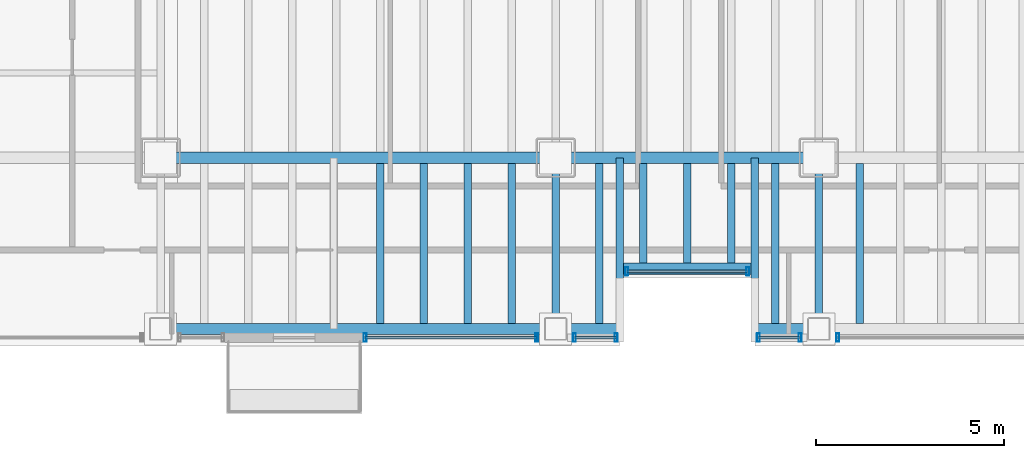
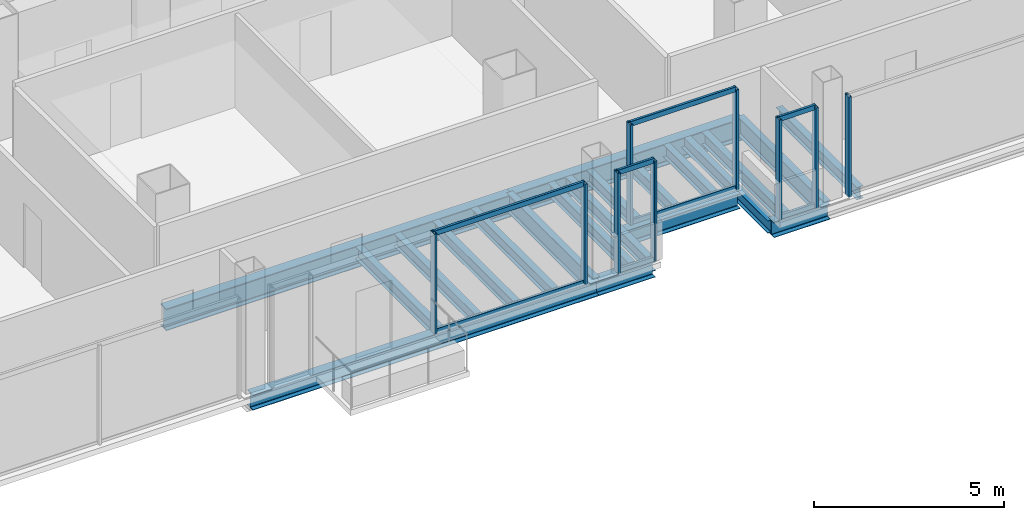
# One storey, part 4 of 21: 20 beams, 17 members, 5 elements without a shape of their own.
"""IFC4 building model written with IfcOpenShell, lengths in metres."""

from ifc_helpers import new_model, si_unit, direction, frame, origin, origin_2d, place, context, subcontext, project, spatial, hollow_rectangle, i_section, extrude, material, material_profile, profile_set, type_object, element, aggregate, save


model = new_model("IFC4")

# Units and contexts
model_context = context("Model", 3, precision=1e-05, world=origin(), true_north=direction((0.0, 1.0)))
body_context = subcontext(model_context, "Body", "Model", "MODEL_VIEW")
ifc_project = project(units=[si_unit("LENGTHUNIT", "METRE"), si_unit("AREAUNIT", "SQUARE_METRE"), si_unit("VOLUMEUNIT", "CUBIC_METRE"), si_unit("PLANEANGLEUNIT", "RADIAN"), si_unit("MASSUNIT", "GRAM", prefix="KILO")], contexts=[model_context])

# Site, building, storey
site_placement = place(None, origin())
site = spatial("IfcSite", under=ifc_project, at=site_placement, CompositionType="ELEMENT")
building_placement = place(site_placement, origin())
building = spatial("IfcBuilding", under=site, at=building_placement, Name="Noeulbin Bourse Tower", CompositionType="ELEMENT")
storey_placement = place(building_placement, frame((0.0, 0.0, 34.300048828125)))
storey = spatial("IfcBuildingStorey", under=building, at=storey_placement, Name="L08", CompositionType="ELEMENT", Elevation=34.300048828125)

# Beams
ifc_material_1 = material(Name="Steel S355", Category="steel")
ifc_material_profile_1 = material_profile(ifc_material_1, i_section(OverallWidth=0.199951171875, OverallDepth=0.60009765625, WebThickness=0.010986328125, FlangeThickness=0.01708984375, FilletRadius=0.02197265625, at=origin_2d()), Name="H-600x200x11x17", Category="LoadBearing")
ifc_profile_set_1 = profile_set([ifc_material_profile_1], Name="Steel S355")
beam_type_1 = type_object("IfcBeamType", Name="BM-GRD-600", PredefinedType="USERDEFINED", material=ifc_profile_set_1)
for number, where, z_axis, x_axis, name in (
    (1, (24.0, 15.449951171875, -0.47998046875), (0.0, 1.0, 0.0), (-1.0, 0.0, 0.0), "Tower Primary Girder NS L08-2.1"),
    (2, (31.0, 15.449951171875, -0.47998046875), (0.0, 1.0, 0.0), (-1.0, 0.0, 0.0), "Tower Primary Girder NS L08-3.1"),
):
    element("IfcBeam", number, at=place(storey_placement, frame(where, z_axis=z_axis, x_axis=x_axis)), inside=storey, type_object=beam_type_1, Name=name, ObjectType="GIRDER", PredefinedType="USERDEFINED", context=body_context, shape_type="SweptSolid", body=[
        extrude(i_section(OverallWidth=0.199951171875, OverallDepth=0.60009765625, WebThickness=0.010986328125, FlangeThickness=0.01708984375, FilletRadius=0.02197265625, at=origin_2d()), origin(), (0.0, 0.0, 1.0), 4.550048828125),
    ])
ifc_material_profile_2 = material_profile(ifc_material_1, i_section(OverallWidth=0.300048828125, OverallDepth=0.699951171875, WebThickness=0.012939453125, FlangeThickness=0.02392578125, FilletRadius=0.02392578125, at=origin_2d()), Name="H-700x300x13x24", Category="LoadBearing")
ifc_profile_set_2 = profile_set([ifc_material_profile_2], Name="Steel S355")
beam_type_2 = type_object("IfcBeamType", Name="BM-GRD-700", PredefinedType="USERDEFINED", material=ifc_profile_set_2)
beam_1_placement = place(storey_placement, frame((13.5, 20.0, -0.530029296875), z_axis=(1.0, 0.0, 0.0), x_axis=(0.0, 1.0, 0.0)))
element("IfcBeam", 3, at=beam_1_placement, inside=storey, type_object=beam_type_2, Name="Tower Primary Girder EW L08-1.2", ObjectType="GIRDER", PredefinedType="USERDEFINED", context=body_context, shape_type="SweptSolid", body=[
    extrude(i_section(OverallWidth=0.300048828125, OverallDepth=0.699951171875, WebThickness=0.012939453125, FlangeThickness=0.02392578125, FilletRadius=0.02392578125, at=origin_2d()), origin(), (0.0, 0.0, 1.0), 10.5),
])
beam_2_placement = place(storey_placement, frame((24.0, 20.0, -0.530029296875), z_axis=(1.0, 0.0, 0.0), x_axis=(0.0, 1.0, 0.0)))
element("IfcBeam", 4, at=beam_2_placement, inside=storey, type_object=beam_type_2, Name="Tower Primary Girder EW L08-1.3", ObjectType="GIRDER", PredefinedType="USERDEFINED", context=body_context, shape_type="SweptSolid", body=[
    extrude(i_section(OverallWidth=0.300048828125, OverallDepth=0.699951171875, WebThickness=0.012939453125, FlangeThickness=0.02392578125, FilletRadius=0.02392578125, at=origin_2d()), origin(), (0.0, 0.0, 1.0), 7.0),
])
ifc_material_profile_3 = material_profile(ifc_material_1, i_section(OverallWidth=0.199951171875, OverallDepth=0.39990234375, WebThickness=0.008056640625, FlangeThickness=0.012939453125, FilletRadius=0.01611328125, at=origin_2d()), Name="H-400x200x8x13", Category="LoadBearing")
ifc_profile_set_3 = profile_set([ifc_material_profile_3], Name="Steel S355")
beam_type_3 = type_object("IfcBeamType", Name="BM-SEC-400", PredefinedType="BEAM", material=ifc_profile_set_3)
for number, where, z_axis, x_axis, name in (
    (5, (25.699951171875, 15.449951171875, -0.380126953125), (0.0, 1.0, 0.0), (-1.0, 0.0, 0.0), "BM-L08-SRT-W"),
    (6, (29.300048828125, 15.449951171875, -0.380126953125), (0.0, 1.0, 0.0), (-1.0, 0.0, 0.0), "BM-L08-SRT-E"),
):
    element("IfcBeam", number, at=place(storey_placement, frame(where, z_axis=z_axis, x_axis=x_axis)), inside=storey, type_object=beam_type_3, Name=name, PredefinedType="BEAM", context=body_context, shape_type="SweptSolid", body=[
        extrude(i_section(OverallWidth=0.199951171875, OverallDepth=0.39990234375, WebThickness=0.008056640625, FlangeThickness=0.012939453125, FilletRadius=0.01611328125, at=origin_2d()), origin(), (0.0, 0.0, 1.0), 4.550048828125),
    ])
for number, where, z_axis, x_axis, name in (
    (7, (19.333251953125, 15.60009765625, -0.380126953125), (0.0, 1.0, 0.0), (-1.0, 0.0, 0.0), "Tower Composite Joist L08-12"),
    (8, (20.5, 15.60009765625, -0.380126953125), (0.0, 1.0, 0.0), (-1.0, 0.0, 0.0), "Tower Composite Joist L08-15"),
    (9, (21.666748046875, 15.60009765625, -0.380126953125), (0.0, 1.0, 0.0), (-1.0, 0.0, 0.0), "Tower Composite Joist L08-18"),
    (10, (22.833251953125, 15.60009765625, -0.380126953125), (0.0, 1.0, 0.0), (-1.0, 0.0, 0.0), "Tower Composite Joist L08-21"),
    (11, (25.166748046875, 15.60009765625, -0.380126953125), (0.0, 1.0, 0.0), (-1.0, 0.0, 0.0), "Tower Composite Joist L08-24"),
):
    element("IfcBeam", number, at=place(storey_placement, frame(where, z_axis=z_axis, x_axis=x_axis)), inside=storey, type_object=beam_type_3, Name=name, PredefinedType="BEAM", context=body_context, shape_type="SweptSolid", body=[
        extrude(i_section(OverallWidth=0.199951171875, OverallDepth=0.39990234375, WebThickness=0.008056640625, FlangeThickness=0.012939453125, FilletRadius=0.01611328125, at=origin_2d()), origin(), (0.0, 0.0, 1.0), 4.25),
    ])
for number, where, z_axis, x_axis, name in (
    (12, (26.333251953125, 17.199951171875, -0.380126953125), (0.0, 1.0, 0.0), (-1.0, 0.0, 0.0), "Tower Composite Joist L08-27"),
    (13, (27.5, 17.199951171875, -0.380126953125), (0.0, 1.0, 0.0), (-1.0, 0.0, 0.0), "Tower Composite Joist L08-30"),
    (14, (28.666748046875, 17.199951171875, -0.380126953125), (0.0, 1.0, 0.0), (-1.0, 0.0, 0.0), "Tower Composite Joist L08-33"),
):
    element("IfcBeam", number, at=place(storey_placement, frame(where, z_axis=z_axis, x_axis=x_axis)), inside=storey, type_object=beam_type_3, Name=name, PredefinedType="BEAM", context=body_context, shape_type="SweptSolid", body=[
        extrude(i_section(OverallWidth=0.199951171875, OverallDepth=0.39990234375, WebThickness=0.008056640625, FlangeThickness=0.012939453125, FilletRadius=0.01611328125, at=origin_2d()), origin(), (0.0, 0.0, 1.0), 2.650146484375),
    ])
for number, where, z_axis, x_axis, name in (
    (15, (29.833251953125, 15.60009765625, -0.380126953125), (0.0, 1.0, 0.0), (-1.0, 0.0, 0.0), "Tower Composite Joist L08-36"),
    (16, (32.083251953125, 15.60009765625, -0.380126953125), (0.0, 1.0, 0.0), (-1.0, 0.0, 0.0), "Tower Composite Joist L08-39"),
):
    element("IfcBeam", number, at=place(storey_placement, frame(where, z_axis=z_axis, x_axis=x_axis)), inside=storey, type_object=beam_type_3, Name=name, PredefinedType="BEAM", context=body_context, shape_type="SweptSolid", body=[
        extrude(i_section(OverallWidth=0.199951171875, OverallDepth=0.39990234375, WebThickness=0.008056640625, FlangeThickness=0.012939453125, FilletRadius=0.01611328125, at=origin_2d()), origin(), (0.0, 0.0, 1.0), 4.25),
    ])
ifc_material_profile_4 = material_profile(ifc_material_1, i_section(OverallWidth=0.300048828125, OverallDepth=0.488037109375, WebThickness=0.010986328125, FlangeThickness=0.01806640625, FilletRadius=0.02197265625, at=origin_2d()), Name="H-488x300x11x18", Category="LoadBearing")
ifc_profile_set_4 = profile_set([ifc_material_profile_4], Name="Steel S355")
beam_type_4 = type_object("IfcBeamType", Name="BM-SPN-488", PredefinedType="SPANDREL", material=ifc_profile_set_4)
beam_3_placement = place(storey_placement, frame((13.5, 15.449951171875, -0.424072265625), z_axis=(1.0, 0.0, 0.0), x_axis=(0.0, 1.0, 0.0)))
element("IfcBeam", 17, at=beam_3_placement, inside=storey, type_object=beam_type_4, Name="South Spandrel L08-1", PredefinedType="SPANDREL", context=body_context, shape_type="SweptSolid", body=[
    extrude(i_section(OverallWidth=0.300048828125, OverallDepth=0.488037109375, WebThickness=0.010986328125, FlangeThickness=0.01806640625, FilletRadius=0.02197265625, at=origin_2d()), origin(), (0.0, 0.0, 1.0), 10.5),
])
beam_4_placement = place(storey_placement, frame((25.800048828125, 17.050048828125, -0.424072265625), z_axis=(1.0, 0.0, 0.0), x_axis=(0.0, 1.0, 0.0)))
element("IfcBeam", 18, at=beam_4_placement, inside=storey, type_object=beam_type_4, Name="South Recess Spandrel L08-2B", PredefinedType="SPANDREL", context=body_context, shape_type="SweptSolid", body=[
    extrude(i_section(OverallWidth=0.300048828125, OverallDepth=0.488037109375, WebThickness=0.010986328125, FlangeThickness=0.01806640625, FilletRadius=0.02197265625, at=origin_2d()), origin(), (0.0, 0.0, 1.0), 3.39990234375),
])
for number, where, z_axis, x_axis, name in (
    (19, (24.0, 15.449951171875, -0.424072265625), (1.0, 0.0, 0.0), (0.0, 1.0, 0.0), "South Spandrel L08-2A"),
    (20, (29.300048828125, 15.449951171875, -0.424072265625), (1.0, 0.0, 0.0), (0.0, 1.0, 0.0), "South Spandrel L08-2C"),
):
    element("IfcBeam", number, at=place(storey_placement, frame(where, z_axis=z_axis, x_axis=x_axis)), inside=storey, type_object=beam_type_4, Name=name, PredefinedType="SPANDREL", context=body_context, shape_type="SweptSolid", body=[
        extrude(i_section(OverallWidth=0.300048828125, OverallDepth=0.488037109375, WebThickness=0.010986328125, FlangeThickness=0.01806640625, FilletRadius=0.02197265625, at=origin_2d()), origin(), (0.0, 0.0, 1.0), 1.699951171875),
    ])

# Curtain wall, members
ifc_material_2 = material(Name="Dark Solar-Control Double Glazing", Category="glass")
curtain_wall_type = type_object("IfcCurtainWallType", Name="CW-SYS-2", PredefinedType="NOTDEFINED", material=ifc_material_2)
curtain_wall_1_placement = place(storey_placement, origin())
curtain_wall_1 = element("IfcCurtainWall", 21, at=curtain_wall_1_placement, inside=storey, type_object=curtain_wall_type, Name="Unitised Curtain Wall CW-L08-SREC", PredefinedType="NOTDEFINED")
ifc_material_3 = material(Name="Anodised Aluminium 6063-T6", Category="aluminium")
ifc_material_profile_5 = material_profile(ifc_material_3, hollow_rectangle(XDim=0.074951171875, YDim=0.219970703125, WallThickness=0.0048828125, InnerFilletRadius=0.00244140625, OuterFilletRadius=0.0048828125, at=origin_2d()), Name="ALU-MULL-75x220x5", Category="LoadBearing")
ifc_profile_set_5 = profile_set([ifc_material_profile_5], Name="Anodised Aluminium 6063-T6")
member_type_1 = type_object("IfcMemberType", Name="CW-SYS-2-MUL", PredefinedType="MULLION", material=ifc_profile_set_5)
member_1_placement = place(storey_placement, frame((25.889892578125, 16.97998046875, -0.02001953125), z_axis=(0.0, 0.0, 1.0), x_axis=(1.0, 0.0, 0.0)))
member_1 = element("IfcMember", 22, at=member_1_placement, type_object=member_type_1, Name="Curtain Wall Mullion CW-L08-SREC-M00", PredefinedType="MULLION", context=body_context, shape_type="SweptSolid", body=[
    extrude(hollow_rectangle(XDim=0.074951171875, YDim=0.219970703125, WallThickness=0.0048828125, InnerFilletRadius=0.00244140625, OuterFilletRadius=0.0048828125, at=origin_2d()), origin(), (0.0, 0.0, 1.0), 3.219970703125),
])
member_2_placement = place(storey_placement, frame((29.110107421875, 16.97998046875, -0.02001953125), z_axis=(0.0, 0.0, 1.0), x_axis=(1.0, 0.0, 0.0)))
member_2 = element("IfcMember", 23, at=member_2_placement, type_object=member_type_1, Name="Curtain Wall Mullion CW-L08-SREC-M01", PredefinedType="MULLION", context=body_context, shape_type="SweptSolid", body=[
    extrude(hollow_rectangle(XDim=0.074951171875, YDim=0.219970703125, WallThickness=0.0048828125, InnerFilletRadius=0.00244140625, OuterFilletRadius=0.0048828125, at=origin_2d()), origin(), (0.0, 0.0, 1.0), 3.219970703125),
])

curtain_wall_2_placement = place(storey_placement, origin())
curtain_wall_2 = element("IfcCurtainWall", 24, at=curtain_wall_2_placement, inside=storey, type_object=curtain_wall_type, Name="Unitised Curtain Wall CW-L08-S2-S1", PredefinedType="NOTDEFINED")
member_3_placement = place(storey_placement, frame((18.93994140625, 15.219970703125, -0.02001953125), z_axis=(0.0, 0.0, 1.0), x_axis=(1.0, 0.0, 0.0)))
member_3 = element("IfcMember", 25, at=member_3_placement, type_object=member_type_1, Name="Curtain Wall Mullion CW-L08-S2-S1-M00", PredefinedType="MULLION", context=body_context, shape_type="SweptSolid", body=[
    extrude(hollow_rectangle(XDim=0.074951171875, YDim=0.219970703125, WallThickness=0.0048828125, InnerFilletRadius=0.00244140625, OuterFilletRadius=0.0048828125, at=origin_2d()), origin(), (0.0, 0.0, 1.0), 3.219970703125),
])
member_4_placement = place(storey_placement, frame((23.5, 15.219970703125, -0.02001953125), z_axis=(0.0, 0.0, 1.0), x_axis=(1.0, 0.0, 0.0)))
member_4 = element("IfcMember", 26, at=member_4_placement, type_object=member_type_1, Name="Curtain Wall Mullion CW-L08-S2-S1-M01", PredefinedType="MULLION", context=body_context, shape_type="SweptSolid", body=[
    extrude(hollow_rectangle(XDim=0.074951171875, YDim=0.219970703125, WallThickness=0.0048828125, InnerFilletRadius=0.00244140625, OuterFilletRadius=0.0048828125, at=origin_2d()), origin(), (0.0, 0.0, 1.0), 3.219970703125),
])

curtain_wall_3_placement = place(storey_placement, origin())
curtain_wall_3 = element("IfcCurtainWall", 27, at=curtain_wall_3_placement, inside=storey, type_object=curtain_wall_type, Name="Unitised Curtain Wall CW-L08-S2-S2", PredefinedType="NOTDEFINED")
member_5_placement = place(storey_placement, frame((24.5, 15.219970703125, -0.02001953125), z_axis=(0.0, 0.0, 1.0), x_axis=(1.0, 0.0, 0.0)))
member_5 = element("IfcMember", 28, at=member_5_placement, type_object=member_type_1, Name="Curtain Wall Mullion CW-L08-S2-S2-M00", PredefinedType="MULLION", context=body_context, shape_type="SweptSolid", body=[
    extrude(hollow_rectangle(XDim=0.074951171875, YDim=0.219970703125, WallThickness=0.0048828125, InnerFilletRadius=0.00244140625, OuterFilletRadius=0.0048828125, at=origin_2d()), origin(), (0.0, 0.0, 1.0), 3.219970703125),
])
member_6_placement = place(storey_placement, frame((25.610107421875, 15.219970703125, -0.02001953125), z_axis=(0.0, 0.0, 1.0), x_axis=(1.0, 0.0, 0.0)))
member_6 = element("IfcMember", 29, at=member_6_placement, type_object=member_type_1, Name="Curtain Wall Mullion CW-L08-S2-S2-M01", PredefinedType="MULLION", context=body_context, shape_type="SweptSolid", body=[
    extrude(hollow_rectangle(XDim=0.074951171875, YDim=0.219970703125, WallThickness=0.0048828125, InnerFilletRadius=0.00244140625, OuterFilletRadius=0.0048828125, at=origin_2d()), origin(), (0.0, 0.0, 1.0), 3.219970703125),
])

curtain_wall_4_placement = place(storey_placement, origin())
curtain_wall_4 = element("IfcCurtainWall", 30, at=curtain_wall_4_placement, inside=storey, type_object=curtain_wall_type, Name="Unitised Curtain Wall CW-L08-S3-S1", PredefinedType="NOTDEFINED")
member_7_placement = place(storey_placement, frame((29.389892578125, 15.219970703125, -0.02001953125), z_axis=(0.0, 0.0, 1.0), x_axis=(1.0, 0.0, 0.0)))
member_7 = element("IfcMember", 31, at=member_7_placement, type_object=member_type_1, Name="Curtain Wall Mullion CW-L08-S3-S1-M00", PredefinedType="MULLION", context=body_context, shape_type="SweptSolid", body=[
    extrude(hollow_rectangle(XDim=0.074951171875, YDim=0.219970703125, WallThickness=0.0048828125, InnerFilletRadius=0.00244140625, OuterFilletRadius=0.0048828125, at=origin_2d()), origin(), (0.0, 0.0, 1.0), 3.219970703125),
])
member_8_placement = place(storey_placement, frame((30.5, 15.219970703125, -0.02001953125), z_axis=(0.0, 0.0, 1.0), x_axis=(1.0, 0.0, 0.0)))
member_8 = element("IfcMember", 32, at=member_8_placement, type_object=member_type_1, Name="Curtain Wall Mullion CW-L08-S3-S1-M01", PredefinedType="MULLION", context=body_context, shape_type="SweptSolid", body=[
    extrude(hollow_rectangle(XDim=0.074951171875, YDim=0.219970703125, WallThickness=0.0048828125, InnerFilletRadius=0.00244140625, OuterFilletRadius=0.0048828125, at=origin_2d()), origin(), (0.0, 0.0, 1.0), 3.219970703125),
])

# Curtain wall, member
curtain_wall_5_placement = place(storey_placement, origin())
curtain_wall_5 = element("IfcCurtainWall", 33, at=curtain_wall_5_placement, inside=storey, type_object=curtain_wall_type, Name="Unitised Curtain Wall CW-L08-S3-S2", PredefinedType="NOTDEFINED")
member_9_placement = place(storey_placement, frame((31.5, 15.219970703125, -0.02001953125), z_axis=(0.0, 0.0, 1.0), x_axis=(1.0, 0.0, 0.0)))
member_9 = element("IfcMember", 34, at=member_9_placement, type_object=member_type_1, Name="Curtain Wall Mullion CW-L08-S3-S2-M00", PredefinedType="MULLION", context=body_context, shape_type="SweptSolid", body=[
    extrude(hollow_rectangle(XDim=0.074951171875, YDim=0.219970703125, WallThickness=0.0048828125, InnerFilletRadius=0.00244140625, OuterFilletRadius=0.0048828125, at=origin_2d()), origin(), (0.0, 0.0, 1.0), 3.219970703125),
])
aggregate(curtain_wall_5, [member_9])

# Member
ifc_material_profile_6 = material_profile(ifc_material_3, hollow_rectangle(XDim=0.074951171875, YDim=0.159912109375, WallThickness=0.0048828125, InnerFilletRadius=0.00244140625, OuterFilletRadius=0.0048828125, at=origin_2d()), Name="ALU-TRAN-75x160x5", Category="LoadBearing")
ifc_profile_set_6 = profile_set([ifc_material_profile_6], Name="Anodised Aluminium 6063-T6")
member_type_2 = type_object("IfcMemberType", Name="CW-SYS-2-TRN", PredefinedType="USERDEFINED", material=ifc_profile_set_6)
member_10_placement = place(storey_placement, frame((25.89990234375, 16.97998046875, 0.010009765625), z_axis=(1.0, 0.0, 0.0), x_axis=(0.0, 1.0, 0.0)))
member_10 = element("IfcMember", 35, at=member_10_placement, type_object=member_type_2, Name="Curtain Wall Transom CW-L08-SREC-T00", ObjectType="TRANSOM", PredefinedType="USERDEFINED", context=body_context, shape_type="SweptSolid", body=[
    extrude(hollow_rectangle(XDim=0.074951171875, YDim=0.159912109375, WallThickness=0.0048828125, InnerFilletRadius=0.00244140625, OuterFilletRadius=0.0048828125, at=origin_2d()), origin(), (0.0, 0.0, 1.0), 3.2001953125),
])

member_11_placement = place(storey_placement, frame((25.89990234375, 16.97998046875, 3.169921875), z_axis=(1.0, 0.0, 0.0), x_axis=(0.0, 1.0, 0.0)))
member_11 = element("IfcMember", 36, at=member_11_placement, type_object=member_type_2, Name="Curtain Wall Transom CW-L08-SREC-T01", ObjectType="TRANSOM", PredefinedType="USERDEFINED", context=body_context, shape_type="SweptSolid", body=[
    extrude(hollow_rectangle(XDim=0.074951171875, YDim=0.159912109375, WallThickness=0.0048828125, InnerFilletRadius=0.00244140625, OuterFilletRadius=0.0048828125, at=origin_2d()), origin(), (0.0, 0.0, 1.0), 3.2001953125),
])

aggregate(curtain_wall_1, [member_1, member_2, member_10, member_11])

member_12_placement = place(storey_placement, frame((18.949951171875, 15.219970703125, 0.010009765625), z_axis=(1.0, 0.0, 0.0), x_axis=(0.0, 1.0, 0.0)))
member_12 = element("IfcMember", 37, at=member_12_placement, type_object=member_type_2, Name="Curtain Wall Transom CW-L08-S2-S1-T00", ObjectType="TRANSOM", PredefinedType="USERDEFINED", context=body_context, shape_type="SweptSolid", body=[
    extrude(hollow_rectangle(XDim=0.074951171875, YDim=0.159912109375, WallThickness=0.0048828125, InnerFilletRadius=0.00244140625, OuterFilletRadius=0.0048828125, at=origin_2d()), origin(), (0.0, 0.0, 1.0), 4.5400390625),
])

member_13_placement = place(storey_placement, frame((18.949951171875, 15.219970703125, 3.169921875), z_axis=(1.0, 0.0, 0.0), x_axis=(0.0, 1.0, 0.0)))
member_13 = element("IfcMember", 38, at=member_13_placement, type_object=member_type_2, Name="Curtain Wall Transom CW-L08-S2-S1-T01", ObjectType="TRANSOM", PredefinedType="USERDEFINED", context=body_context, shape_type="SweptSolid", body=[
    extrude(hollow_rectangle(XDim=0.074951171875, YDim=0.159912109375, WallThickness=0.0048828125, InnerFilletRadius=0.00244140625, OuterFilletRadius=0.0048828125, at=origin_2d()), origin(), (0.0, 0.0, 1.0), 4.5400390625),
])

aggregate(curtain_wall_2, [member_3, member_4, member_12, member_13])

member_14_placement = place(storey_placement, frame((24.510009765625, 15.219970703125, 0.010009765625), z_axis=(1.0, 0.0, 0.0), x_axis=(0.0, 1.0, 0.0)))
member_14 = element("IfcMember", 39, at=member_14_placement, type_object=member_type_2, Name="Curtain Wall Transom CW-L08-S2-S2-T00", ObjectType="TRANSOM", PredefinedType="USERDEFINED", context=body_context, shape_type="SweptSolid", body=[
    extrude(hollow_rectangle(XDim=0.074951171875, YDim=0.159912109375, WallThickness=0.0048828125, InnerFilletRadius=0.00244140625, OuterFilletRadius=0.0048828125, at=origin_2d()), origin(), (0.0, 0.0, 1.0), 1.090087890625),
])

member_15_placement = place(storey_placement, frame((24.510009765625, 15.219970703125, 3.169921875), z_axis=(1.0, 0.0, 0.0), x_axis=(0.0, 1.0, 0.0)))
member_15 = element("IfcMember", 40, at=member_15_placement, type_object=member_type_2, Name="Curtain Wall Transom CW-L08-S2-S2-T01", ObjectType="TRANSOM", PredefinedType="USERDEFINED", context=body_context, shape_type="SweptSolid", body=[
    extrude(hollow_rectangle(XDim=0.074951171875, YDim=0.159912109375, WallThickness=0.0048828125, InnerFilletRadius=0.00244140625, OuterFilletRadius=0.0048828125, at=origin_2d()), origin(), (0.0, 0.0, 1.0), 1.090087890625),
])

aggregate(curtain_wall_3, [member_5, member_6, member_14, member_15])

member_16_placement = place(storey_placement, frame((29.39990234375, 15.219970703125, 0.010009765625), z_axis=(1.0, 0.0, 0.0), x_axis=(0.0, 1.0, 0.0)))
member_16 = element("IfcMember", 41, at=member_16_placement, type_object=member_type_2, Name="Curtain Wall Transom CW-L08-S3-S1-T00", ObjectType="TRANSOM", PredefinedType="USERDEFINED", context=body_context, shape_type="SweptSolid", body=[
    extrude(hollow_rectangle(XDim=0.074951171875, YDim=0.159912109375, WallThickness=0.0048828125, InnerFilletRadius=0.00244140625, OuterFilletRadius=0.0048828125, at=origin_2d()), origin(), (0.0, 0.0, 1.0), 1.090087890625),
])

member_17_placement = place(storey_placement, frame((29.39990234375, 15.219970703125, 3.169921875), z_axis=(1.0, 0.0, 0.0), x_axis=(0.0, 1.0, 0.0)))
member_17 = element("IfcMember", 42, at=member_17_placement, type_object=member_type_2, Name="Curtain Wall Transom CW-L08-S3-S1-T01", ObjectType="TRANSOM", PredefinedType="USERDEFINED", context=body_context, shape_type="SweptSolid", body=[
    extrude(hollow_rectangle(XDim=0.074951171875, YDim=0.159912109375, WallThickness=0.0048828125, InnerFilletRadius=0.00244140625, OuterFilletRadius=0.0048828125, at=origin_2d()), origin(), (0.0, 0.0, 1.0), 1.090087890625),
])

aggregate(curtain_wall_4, [member_7, member_8, member_16, member_17])

save(model, "model.ifc")
